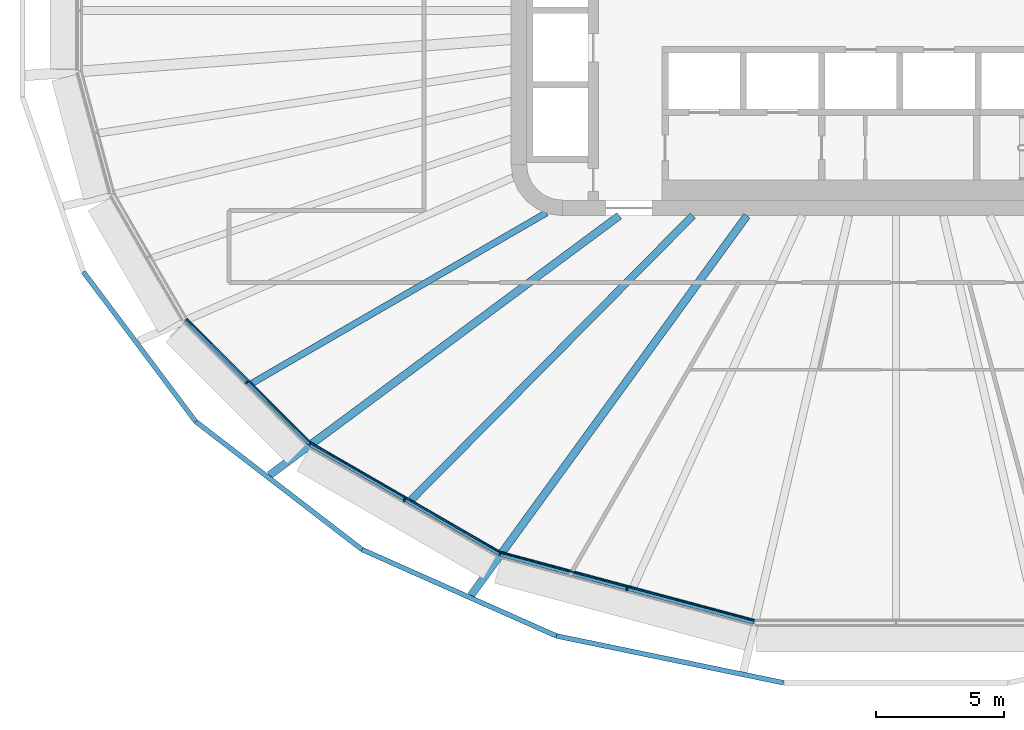
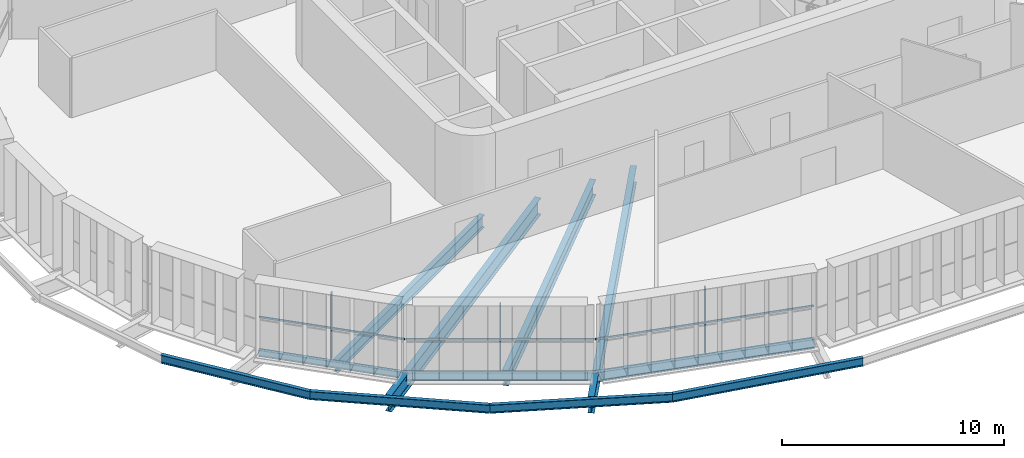
# One storey, part 1 of 25: 11 beams, 6 members, 3 elements without a shape of their own.
"""IFC4 building model written with IfcOpenShell, lengths in metres."""

from ifc_helpers import new_model, si_unit, direction, frame, origin, origin_2d, place, context, subcontext, project, spatial, rectangle, i_section, extrude, material, layer, layer_set, material_profile, profile_set, type_object, element, aggregate, save


model = new_model("IFC4")

# Units and contexts
model_context = context("Model", 3, precision=1e-05, world=origin(), true_north=direction((0.0, 1.0)))
body_context = subcontext(model_context, "Body", "Model", "MODEL_VIEW")
ifc_project = project(units=[si_unit("LENGTHUNIT", "METRE"), si_unit("AREAUNIT", "SQUARE_METRE"), si_unit("VOLUMEUNIT", "CUBIC_METRE"), si_unit("PLANEANGLEUNIT", "RADIAN"), si_unit("MASSUNIT", "GRAM", prefix="KILO")], contexts=[model_context])

# Site, building, storey
site_placement = place(None, origin())
site = spatial("IfcSite", under=ifc_project, at=site_placement, CompositionType="ELEMENT")
building_placement = place(site_placement, origin())
building = spatial("IfcBuilding", under=site, at=building_placement, Name="Sahrelin Media Tower", CompositionType="ELEMENT")
storey_placement = place(building_placement, frame((0.0, 0.0, 106.199951171875)))
storey = spatial("IfcBuildingStorey", under=building, at=storey_placement, Name="L20", CompositionType="ELEMENT", Elevation=106.199951171875)

# Beams
ifc_material_1 = material(Name="Steel S355", Category="steel")
ifc_material_profile_1 = material_profile(ifc_material_1, i_section(OverallWidth=0.17138671875, OverallDepth=0.35498046875, WebThickness=0.00732421875, FlangeThickness=0.011474609375, FilletRadius=0.01025390625, at=origin_2d()), Name="UB 356x171x51")
ifc_profile_set_1 = profile_set([ifc_material_profile_1], Name="Steel S355")
beam_type_1 = type_object("IfcBeamType", Name="Edge beam EB3", PredefinedType="BEAM", material=ifc_profile_set_1)
beam_1_placement = place(storey_placement, frame((-22.849609375, -16.8798828125, -0.327392578125), z_axis=(-0.707124646667, 0.707088915255, 0.0), x_axis=(-0.707088915255, -0.707124646667, 0.0)))
element("IfcBeam", 1, at=beam_1_placement, inside=storey, type_object=beam_type_1, Name="Edge beam L20-10", PredefinedType="BEAM", context=body_context, shape_type="SweptSolid", body=[
    extrude(i_section(OverallWidth=0.17138671875, OverallDepth=0.35498046875, WebThickness=0.00732421875, FlangeThickness=0.011474609375, FilletRadius=0.01025390625, at=origin_2d()), origin(), (0.0, 0.0, 1.0), 6.832763671875),
])
ifc_material_profile_2 = material_profile(ifc_material_1, i_section(OverallWidth=0.1904296875, OverallDepth=0.45703125, WebThickness=0.009033203125, FlangeThickness=0.014404296875, FilletRadius=0.01025390625, at=origin_2d()), Name="UB 457x191x74")
ifc_profile_set_2 = profile_set([ifc_material_profile_2], Name="Steel S355")
beam_type_2 = type_object("IfcBeamType", Name="Edge beam EB5", PredefinedType="BEAM", material=ifc_profile_set_2)
beam_2_placement = place(storey_placement, frame((-15.438232421875, -21.163330078125, -0.37841796875), z_axis=(-0.866017364183, 0.500013924739, 0.0), x_axis=(-0.500013924739, -0.866017364183, 0.0)))
element("IfcBeam", 2, at=beam_2_placement, inside=storey, type_object=beam_type_2, Name="Edge beam L20-09", PredefinedType="BEAM", context=body_context, shape_type="SweptSolid", body=[
    extrude(i_section(OverallWidth=0.1904296875, OverallDepth=0.45703125, WebThickness=0.009033203125, FlangeThickness=0.014404296875, FilletRadius=0.01025390625, at=origin_2d()), origin(), (0.0, 0.0, 1.0), 8.531494140625),
])
ifc_material_profile_3 = material_profile(ifc_material_1, i_section(OverallWidth=0.208740234375, OverallDepth=0.5283203125, WebThickness=0.009521484375, FlangeThickness=0.01318359375, FilletRadius=0.0126953125, at=origin_2d()), Name="UB 533x210x82")
ifc_profile_set_3 = profile_set([ifc_material_profile_3], Name="Steel S355")
beam_type_3 = type_object("IfcBeamType", Name="Edge beam EB6", PredefinedType="BEAM", material=ifc_profile_set_3)
beam_3_placement = place(storey_placement, frame((-5.525146484375, -23.8232421875, -0.4140625), z_axis=(-0.965929419345, 0.258805635261, 0.0), x_axis=(-0.258805635261, -0.965929419345, 0.0)))
element("IfcBeam", 3, at=beam_3_placement, inside=storey, type_object=beam_type_3, Name="Edge beam L20-08", PredefinedType="BEAM", context=body_context, shape_type="SweptSolid", body=[
    extrude(i_section(OverallWidth=0.208740234375, OverallDepth=0.5283203125, WebThickness=0.009521484375, FlangeThickness=0.01318359375, FilletRadius=0.0126953125, at=origin_2d()), origin(), (0.0, 0.0, 1.0), 10.235107421875),
])

# Curtain wall, member
ifc_material_2 = material(Name="Champagne anodised aluminium 6063-T6", Category="aluminium")
ifc_layer = layer(ifc_material_2, 0.14990234375)
ifc_layer_set = layer_set([ifc_layer], Name="Tower ribbon curtain wall")
curtain_wall_type = type_object("IfcCurtainWallType", Name="Tower ribbon curtain wall", PredefinedType="NOTDEFINED", material=ifc_layer_set)
curtain_wall_1_placement = place(storey_placement, frame((-25.371337890625, -14.5703125, 0.0), z_axis=(0.0, 0.0, 1.0), x_axis=(1.0, 0.0, 0.0)))
curtain_wall_1 = element("IfcCurtainWall", 4, at=curtain_wall_1_placement, inside=storey, type_object=curtain_wall_type, Name="L20:CW:L20-15", PredefinedType="NOTDEFINED")
ifc_material_profile_4 = material_profile(ifc_material_2, rectangle(XDim=0.06005859375, YDim=0.14990234375, at=origin_2d()), Name="Mullion 60x150")
ifc_profile_set_4 = profile_set([ifc_material_profile_4], Name="Champagne anodised aluminium 6063-T6")
member_type_1 = type_object("IfcMemberType", Name="Mullion 60x150 CW1", PredefinedType="MULLION", material=ifc_profile_set_4)
member_1_placement = place(storey_placement, frame((-25.30419921875, -14.503173828125, 0.0), z_axis=(0.0, 0.0, 1.0), x_axis=(0.707106781187, -0.707106781187, 0.0)))
member_1 = element("IfcMember", 5, at=member_1_placement, type_object=member_type_1, Name="L20:CWM:L20-15", PredefinedType="MULLION", context=body_context, shape_type="SweptSolid", body=[
    extrude(rectangle(XDim=0.06005859375, YDim=0.14990234375, at=origin_2d()), origin(), (0.0, 0.0, 1.0), 3.648681640625),
])

curtain_wall_2_placement = place(storey_placement, frame((-19.20751953125, -19.160400390625, 0.0), z_axis=(0.0, 0.0, 1.0), x_axis=(1.0, 0.0, 0.0)))
curtain_wall_2 = element("IfcCurtainWall", 6, at=curtain_wall_2_placement, inside=storey, type_object=curtain_wall_type, Name="L20:CW:L20-16", PredefinedType="NOTDEFINED")
member_2_placement = place(storey_placement, frame((-19.159912109375, -19.077880859375, 0.0), z_axis=(0.0, 0.0, 1.0), x_axis=(0.866024531118, -0.500001511499, 0.0)))
member_2 = element("IfcMember", 7, at=member_2_placement, type_object=member_type_1, Name="L20:CWM:L20-16", PredefinedType="MULLION", context=body_context, shape_type="SweptSolid", body=[
    extrude(rectangle(XDim=0.06005859375, YDim=0.14990234375, at=origin_2d()), origin(), (0.0, 0.0, 1.0), 3.648681640625),
])

curtain_wall_3_placement = place(storey_placement, frame((-10.50732421875, -22.643798828125, 0.0), z_axis=(0.0, 0.0, 1.0), x_axis=(1.0, 0.0, 0.0)))
curtain_wall_3 = element("IfcCurtainWall", 8, at=curtain_wall_3_placement, inside=storey, type_object=curtain_wall_type, Name="L20:CW:L20-17", PredefinedType="NOTDEFINED")
member_3_placement = place(storey_placement, frame((-10.482666015625, -22.552001953125, 0.0), z_axis=(0.0, 0.0, 1.0), x_axis=(0.965926278012, -0.258817359244, 0.0)))
member_3 = element("IfcMember", 9, at=member_3_placement, type_object=member_type_1, Name="L20:CWM:L20-17", PredefinedType="MULLION", context=body_context, shape_type="SweptSolid", body=[
    extrude(rectangle(XDim=0.06005859375, YDim=0.14990234375, at=origin_2d()), origin(), (0.0, 0.0, 1.0), 3.648681640625),
])

# Beams
ifc_material_profile_5 = material_profile(ifc_material_1, i_section(OverallWidth=0.30322265625, OverallDepth=0.903076171875, WebThickness=0.01513671875, FlangeThickness=0.020263671875, FilletRadius=0.01904296875, at=origin_2d()), Name="UB 914x305x201")
ifc_profile_set_5 = profile_set([ifc_material_profile_5], Name="Steel S355")
beam_type_4 = type_object("IfcBeamType", Name="Radial primary beam PB11", PredefinedType="BEAM", material=ifc_profile_set_5)
beam_4_placement = place(storey_placement, frame((-10.78466796875, -8.0, -0.6015625), z_axis=(-0.803155745006, -0.595769124127, 0.0), x_axis=(0.595769124127, -0.803155745006, 0.0)))
element("IfcBeam", 10, at=beam_4_placement, inside=storey, type_object=beam_type_4, Name="Radial beam L20-16", PredefinedType="BEAM", context=body_context, shape_type="SweptSolid", body=[
    extrude(i_section(OverallWidth=0.30322265625, OverallDepth=0.903076171875, WebThickness=0.01513671875, FlangeThickness=0.020263671875, FilletRadius=0.01904296875, at=origin_2d()), origin(), (0.0, 0.0, 1.0), 16.9755859375),
])
beam_5_placement = place(storey_placement, frame((-5.8125, -8.0, -0.6015625), z_axis=(-0.587804906346, -0.809002714505, 0.0), x_axis=(0.809002714505, -0.587804906346, 0.0)))
element("IfcBeam", 11, at=beam_5_placement, inside=storey, type_object=beam_type_4, Name="Radial beam L20-17", PredefinedType="BEAM", context=body_context, shape_type="SweptSolid", body=[
    extrude(i_section(OverallWidth=0.30322265625, OverallDepth=0.903076171875, WebThickness=0.01513671875, FlangeThickness=0.020263671875, FilletRadius=0.01904296875, at=origin_2d()), origin(), (0.0, 0.0, 1.0), 18.28759765625),
])
ifc_material_profile_6 = material_profile(ifc_material_1, i_section(OverallWidth=0.291748046875, OverallDepth=0.8349609375, WebThickness=0.013916015625, FlangeThickness=0.018798828125, FilletRadius=0.017822265625, at=origin_2d()), Name="UB 838x292x176")
ifc_profile_set_6 = profile_set([ifc_material_profile_6], Name="Steel S355")
beam_type_5 = type_object("IfcBeamType", Name="Radial secondary beam SB10", PredefinedType="BEAM", material=ifc_profile_set_6)
beam_6_placement = place(storey_placement, frame((-7.92138671875, -8.0, -0.5673828125), z_axis=(-0.703602310212, -0.7105939692, 0.0), x_axis=(0.7105939692, -0.703602310212, 0.0)))
element("IfcBeam", 12, at=beam_6_placement, inside=storey, type_object=beam_type_5, Name="Secondary beam L20-16", PredefinedType="BEAM", context=body_context, shape_type="SweptSolid", body=[
    extrude(i_section(OverallWidth=0.291748046875, OverallDepth=0.8349609375, WebThickness=0.013916015625, FlangeThickness=0.018798828125, FilletRadius=0.017822265625, at=origin_2d()), origin(), (0.0, 0.0, 1.0), 15.57373046875),
])
ifc_material_profile_7 = material_profile(ifc_material_1, i_section(OverallWidth=0.2529296875, OverallDepth=0.677978515625, WebThickness=0.01171875, FlangeThickness=0.01611328125, FilletRadius=0.01513671875, at=origin_2d()), Name="UB 686x254x125")
ifc_profile_set_7 = profile_set([ifc_material_profile_7], Name="Steel S355")
beam_type_6 = type_object("IfcBeamType", Name="Radial secondary beam SB8", PredefinedType="BEAM", material=ifc_profile_set_7)
beam_7_placement = place(storey_placement, frame((-13.625, -7.887451171875, -0.48876953125), z_axis=(-0.865447741605, -0.500999208134, 0.0), x_axis=(0.500999208134, -0.865447741605, 0.0)))
element("IfcBeam", 13, at=beam_7_placement, inside=storey, type_object=beam_type_6, Name="Secondary beam L20-15", PredefinedType="BEAM", context=body_context, shape_type="SweptSolid", body=[
    extrude(i_section(OverallWidth=0.2529296875, OverallDepth=0.677978515625, WebThickness=0.01171875, FlangeThickness=0.01611328125, FilletRadius=0.01513671875, at=origin_2d()), origin(), (0.0, 0.0, 1.0), 13.2431640625),
])
ifc_material_profile_8 = material_profile(ifc_material_1, i_section(OverallWidth=0.1904296875, OverallDepth=0.45703125, WebThickness=0.009033203125, FlangeThickness=0.014404296875, FilletRadius=0.01025390625, at=origin_2d()), Name="UB 457x191x74")
ifc_profile_set_8 = profile_set([ifc_material_profile_8], Name="Steel S355")
beam_type_7 = type_object("IfcBeamType", Name="Tie chord TC5", PredefinedType="BEAM", material=ifc_profile_set_8)
beam_8_placement = place(storey_placement, frame((-31.671142578125, -10.18701171875, -0.37841796875), z_axis=(0.600037514246, -0.799971862941, 0.0), x_axis=(0.799971862941, 0.600037514246, 0.0)))
element("IfcBeam", 14, at=beam_8_placement, inside=storey, type_object=beam_type_7, Name="Tie chord L20-14", PredefinedType="BEAM", context=body_context, shape_type="SweptSolid", body=[
    extrude(i_section(OverallWidth=0.1904296875, OverallDepth=0.45703125, WebThickness=0.009033203125, FlangeThickness=0.014404296875, FilletRadius=0.01025390625, at=origin_2d()), origin(), (0.0, 0.0, 1.0), 7.288818359375),
])
beam_9_placement = place(storey_placement, frame((-27.297607421875, -16.017822265625, -0.37841796875), z_axis=(0.792454327323, -0.60993125769, 0.0), x_axis=(0.60993125769, 0.792454327323, 0.0)))
element("IfcBeam", 15, at=beam_9_placement, inside=storey, type_object=beam_type_7, Name="Tie chord L20-15", PredefinedType="BEAM", context=body_context, shape_type="SweptSolid", body=[
    extrude(i_section(OverallWidth=0.1904296875, OverallDepth=0.45703125, WebThickness=0.009033203125, FlangeThickness=0.014404296875, FilletRadius=0.01025390625, at=origin_2d()), origin(), (0.0, 0.0, 1.0), 8.18603515625),
])
beam_10_placement = place(storey_placement, frame((-20.810546875, -21.0107421875, -0.37841796875), z_axis=(0.913829764708, -0.406097477378, 0.0), x_axis=(0.406097477378, 0.913829764708, 0.0)))
element("IfcBeam", 16, at=beam_10_placement, inside=storey, type_object=beam_type_7, Name="Tie chord L20-16", PredefinedType="BEAM", context=body_context, shape_type="SweptSolid", body=[
    extrude(i_section(OverallWidth=0.1904296875, OverallDepth=0.45703125, WebThickness=0.009033203125, FlangeThickness=0.014404296875, FilletRadius=0.01025390625, at=origin_2d()), origin(), (0.0, 0.0, 1.0), 8.289794921875),
])
beam_11_placement = place(storey_placement, frame((-13.235107421875, -24.377197265625, -0.37841796875), z_axis=(0.979386132025, -0.201997040565, 0.0), x_axis=(0.201997040565, 0.979386132025, 0.0)))
element("IfcBeam", 17, at=beam_11_placement, inside=storey, type_object=beam_type_7, Name="Tie chord L20-17", PredefinedType="BEAM", context=body_context, shape_type="SweptSolid", body=[
    extrude(i_section(OverallWidth=0.1904296875, OverallDepth=0.45703125, WebThickness=0.009033203125, FlangeThickness=0.014404296875, FilletRadius=0.01025390625, at=origin_2d()), origin(), (0.0, 0.0, 1.0), 9.0478515625),
])

# Member
ifc_material_profile_9 = material_profile(ifc_material_2, rectangle(XDim=0.050048828125, YDim=0.10009765625, at=origin_2d()), Name="Transom 50x100")
ifc_profile_set_9 = profile_set([ifc_material_profile_9], Name="Champagne anodised aluminium 6063-T6")
member_type_2 = type_object("IfcMemberType", Name="Transom 50x100 CW1", PredefinedType="USERDEFINED", material=ifc_profile_set_9)
member_4_placement = place(storey_placement, frame((-27.63818359375, -12.02783203125, 1.60009765625), z_axis=(0.707106781187, -0.707106781187, 0.0), x_axis=(0.707106781187, 0.707106781187, 0.0)))
member_4 = element("IfcMember", 18, at=member_4_placement, type_object=member_type_2, Name="L20:CWT:L20-15", ObjectType="TRANSOM", PredefinedType="USERDEFINED", context=body_context, shape_type="SweptSolid", body=[
    extrude(rectangle(XDim=0.050048828125, YDim=0.10009765625, at=origin_2d()), origin(), (0.0, 0.0, 1.0), 6.801513671875),
])

aggregate(curtain_wall_1, [member_1, member_4])

member_5_placement = place(storey_placement, frame((-22.79052734375, -16.866455078125, 1.60009765625), z_axis=(0.866021522889, -0.500006721848, 0.0), x_axis=(0.500006721848, 0.866021522889, 0.0)))
member_5 = element("IfcMember", 19, at=member_5_placement, type_object=member_type_2, Name="L20:CWT:L20-16", ObjectType="TRANSOM", PredefinedType="USERDEFINED", context=body_context, shape_type="SweptSolid", body=[
    extrude(rectangle(XDim=0.050048828125, YDim=0.10009765625, at=origin_2d()), origin(), (0.0, 0.0, 1.0), 8.5),
])

aggregate(curtain_wall_2, [member_2, member_5])

member_6_placement = place(storey_placement, frame((-15.384765625, -21.135009765625, 1.60009765625), z_axis=(0.965926477685, -0.258816614048, 0.0), x_axis=(0.258816614048, 0.965926477685, 0.0)))
member_6 = element("IfcMember", 20, at=member_6_placement, type_object=member_type_2, Name="L20:CWT:L20-17", ObjectType="TRANSOM", PredefinedType="USERDEFINED", context=body_context, shape_type="SweptSolid", body=[
    extrude(rectangle(XDim=0.050048828125, YDim=0.10009765625, at=origin_2d()), origin(), (0.0, 0.0, 1.0), 10.20361328125),
])

aggregate(curtain_wall_3, [member_3, member_6])

save(model, "model.ifc")
